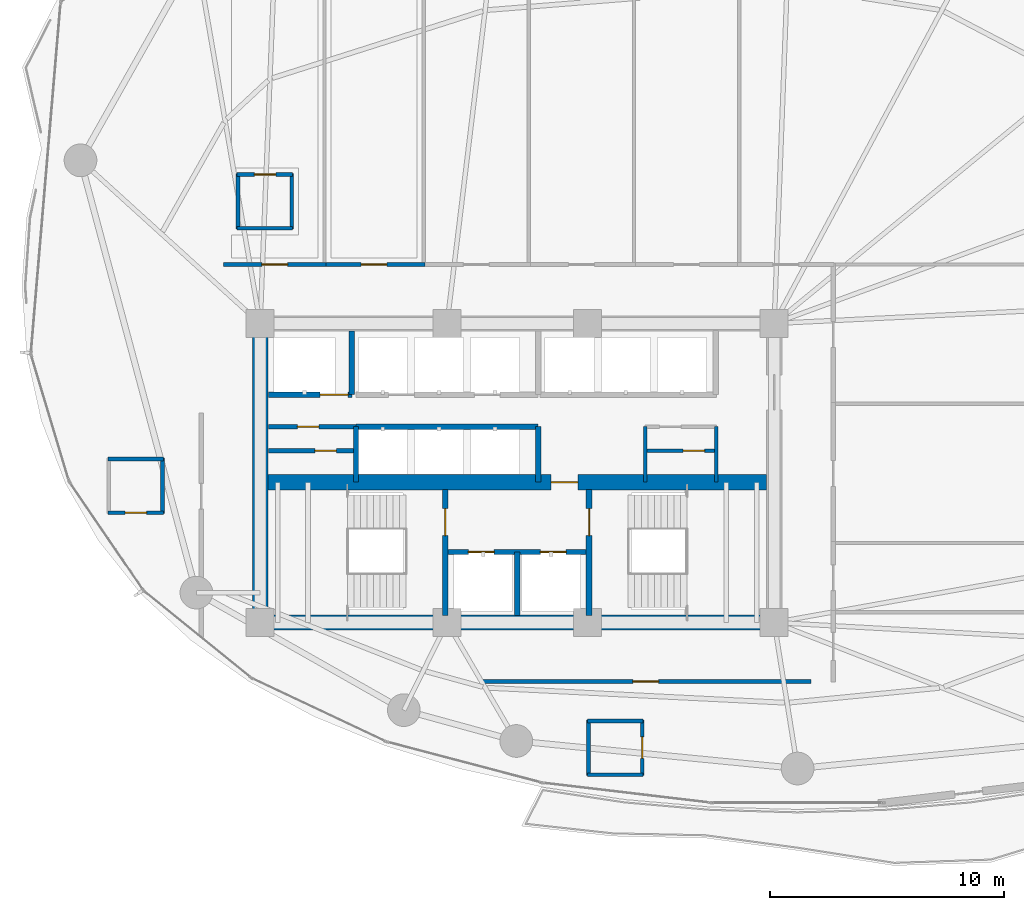
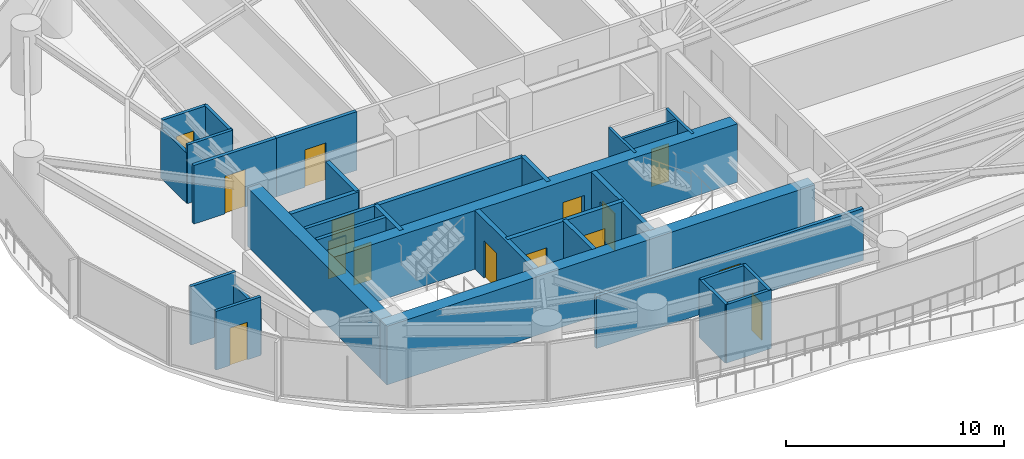
# One storey, part 25 of 30: 31 walls, 15 doors, 15 openings.
"""IFC4 building model written with IfcOpenShell, lengths in metres."""

import ifcopenshell
import ifcopenshell.guid

model = None  # the IFC model being written
_history = None  # IfcOwnerHistory: only IFC2X3 demands one
_inside = {}  # id of a spatial element -> (the spatial element, [elements in it])
_under = {}  # id of a project, library or spatial element -> (it, [spatial elements below it])
_declared = {}  # id of a project -> (the project, [libraries it declares])
_typed = {}  # id of a type object -> (the type object, [elements of that type])
_made_of = {}  # id of a material, layer set ... -> (it, [elements and type objects made of it])


def new_model(schema):
    """Start an empty IFC model of exactly this schema.

    Asked for "IFC4X3", IfcOpenShell would pick the latest addendum, in which some entities
    have other attributes; the version numbers below select the first issue.
    IFC2X3 requires an IfcOwnerHistory on every rooted entity: one is made here for all.
    """
    global model, _history
    if schema == "IFC4X3":
        model = ifcopenshell.file(schema_version=(4, 3, 0, 0))
    else:
        model = ifcopenshell.file(schema=schema)
    _inside.clear()
    _under.clear()
    _declared.clear()
    _typed.clear()
    _made_of.clear()
    _history = None
    if model.schema == "IFC2X3":
        org = make("IfcOrganization", Name="unknown")
        user = make(
            "IfcPersonAndOrganization",
            ThePerson=make("IfcPerson", FamilyName="unknown"),
            TheOrganization=org,
        )
        app = make(
            "IfcApplication",
            ApplicationDeveloper=org,
            Version="unknown",
            ApplicationFullName="unknown",
            ApplicationIdentifier="unknown",
        )
        _history = make(
            "IfcOwnerHistory",
            OwningUser=user,
            OwningApplication=app,
            ChangeAction="ADDED",
            CreationDate=0,
        )
    return model


def make(cls, **values):
    """One entity of the class cls with the attributes given. An attribute that is None is left unset."""
    return model.create_entity(
        cls, **{name: value for name, value in values.items() if value is not None}
    )


def rooted(cls, **values):
    """An entity with a GlobalId (a new one), such as an element, a storey or a relation."""
    return make(cls, GlobalId=ifcopenshell.guid.new(), OwnerHistory=_history, **values)


def si_unit(unit_type, name, prefix=None):
    """IfcSIUnit, for example si_unit("LENGTHUNIT", "METRE", prefix="MILLI")."""
    return make("IfcSIUnit", UnitType=unit_type, Prefix=prefix, Name=name)


def assignment(units):
    """IfcUnitAssignment: the units of a project."""
    return None if units is None else make("IfcUnitAssignment", Units=units)


def point(xyz):
    """IfcCartesianPoint."""
    return None if xyz is None else make("IfcCartesianPoint", Coordinates=xyz)


def direction(xyz):
    """IfcDirection."""
    return None if xyz is None else make("IfcDirection", DirectionRatios=xyz)


def frame(location, z_axis=None, x_axis=None):
    """IfcAxis2Placement3D, a coordinate frame: its origin and axes. An axis left out is left unset."""
    return make(
        "IfcAxis2Placement3D",
        Location=point(location),
        Axis=direction(z_axis),
        RefDirection=direction(x_axis),
    )


def frame_2d(location, x_axis=None):
    """IfcAxis2Placement2D, a coordinate frame in the plane: its origin and x axis."""
    return make(
        "IfcAxis2Placement2D", Location=point(location), RefDirection=direction(x_axis)
    )


def origin():
    """The frame at (0, 0, 0) with its axes left unset."""
    return frame((0.0, 0.0, 0.0))


def place(relative_to, where):
    """IfcLocalPlacement: puts the frame where relative to a parent placement (None: the world)."""
    return make(
        "IfcLocalPlacement", PlacementRelTo=relative_to, RelativePlacement=where
    )


def context(
    kind, dimensions, precision=None, world=None, true_north=None, identifier=None
):
    """IfcGeometricRepresentationContext, for example the 3D "Model" context."""
    return make(
        "IfcGeometricRepresentationContext",
        ContextIdentifier=identifier,
        ContextType=kind,
        CoordinateSpaceDimension=dimensions,
        Precision=precision,
        WorldCoordinateSystem=world,
        TrueNorth=true_north,
    )


def subcontext(parent, identifier, kind, view, scale=None):
    """IfcGeometricRepresentationSubContext, for example "Body" below "Model"."""
    return make(
        "IfcGeometricRepresentationSubContext",
        ContextIdentifier=identifier,
        ContextType=kind,
        ParentContext=parent,
        TargetScale=scale,
        TargetView=view,
    )


def project(units=None, contexts=None):
    """IfcProject with its units and contexts."""
    return rooted(
        "IfcProject",
        Name="project",
        RepresentationContexts=contexts,
        UnitsInContext=assignment(units),
    )


def spatial(cls, under=None, at=None, **own):
    """A site, building, storey or space (cls), placed at a placement, below another one or the project."""
    s = rooted(cls, ObjectPlacement=at, **own)
    if under is not None:
        _under.setdefault(under.id(), (under, []))[1].append(s)
    return s


def profile(cls, at=None, kind="AREA", **sizes):
    """A parametric profile (cls). Its sizes go by their IFC names, for example OverallWidth=200.0."""
    return make(cls, ProfileType=kind, Position=at, **sizes)


def rectangle(**sizes):
    """IfcRectangleProfileDef."""
    return profile("IfcRectangleProfileDef", **sizes)


def extrude(swept, where, along, depth):
    """IfcExtrudedAreaSolid: the profile swept, set in the frame where, extruded along a direction by depth."""
    return make(
        "IfcExtrudedAreaSolid",
        SweptArea=swept,
        Position=where,
        ExtrudedDirection=direction(along),
        Depth=depth,
    )


def shape(context_of_items, identifier, shape_type, items):
    """IfcShapeRepresentation: the items that make up one representation, for example the "Body"."""
    return make(
        "IfcShapeRepresentation",
        ContextOfItems=context_of_items,
        RepresentationIdentifier=identifier,
        RepresentationType=shape_type,
        Items=items,
    )


def material(Name=None, Category=None):
    """IfcMaterial."""
    return make("IfcMaterial", Name=Name, Category=Category)


def layer(
    of_material, thickness, ventilated=None, Name=None, Category=None, Priority=None
):
    """IfcMaterialLayer: one layer of a wall or slab, of a material (None: an air gap)."""
    return make(
        "IfcMaterialLayer",
        Material=of_material,
        LayerThickness=thickness,
        IsVentilated=ventilated,
        Name=Name,
        Category=Category,
        Priority=Priority,
    )


def layer_set(layers, Name=None):
    """IfcMaterialLayerSet."""
    return make("IfcMaterialLayerSet", MaterialLayers=layers, LayerSetName=Name)


def made_of(thing, what):
    """Note that an element or type object is made of a material, layer set ...; save() writes the relation."""
    if what is not None:
        _made_of.setdefault(what.id(), (what, []))[1].append(thing)
    return thing


def type_object(cls, material=None, **own):
    """A type object (cls), such as IfcWallType, which elements share."""
    return made_of(rooted(cls, **own), material)


def element(
    cls,
    number,
    at=None,
    inside=None,
    cuts=None,
    type_object=None,
    material=None,
    context=None,
    identifier="Body",
    shape_type=None,
    held_by="IfcProductDefinitionShape",
    body=None,
    shapes=None,
    **own,
):
    """One element of the class cls, such as IfcWall. Its Tag is "e" and its number.

    at: its placement. inside: the storey or other place that contains it. cuts: it is an
    opening in that element (IfcRelVoidsElement). A single representation is given by context,
    identifier, shape_type and body (its items); several are given by shapes. held_by: the class
    of the entity that holds the representations. save() writes the other relations.
    """
    e = rooted(cls, Tag="e%d" % number, ObjectPlacement=at, **own)
    if body is not None:
        shapes = [shape(context, identifier, shape_type, body)]
    if shapes is not None:
        e.Representation = make(held_by, Representations=shapes)
    if inside is not None:
        _inside.setdefault(inside.id(), (inside, []))[1].append(e)
    if cuts is not None:
        rooted(
            "IfcRelVoidsElement", RelatingBuildingElement=cuts, RelatedOpeningElement=e
        )
    if type_object is not None:
        _typed.setdefault(type_object.id(), (type_object, []))[1].append(e)
    return made_of(e, material)


def fill(opening, filler):
    """IfcRelFillsElement: the door or window that sits in an opening."""
    return rooted(
        "IfcRelFillsElement",
        RelatingOpeningElement=opening,
        RelatedBuildingElement=filler,
    )


def aggregate(whole, parts):
    """IfcRelAggregates: a whole, such as a stair, and the parts it consists of."""
    return rooted("IfcRelAggregates", RelatingObject=whole, RelatedObjects=parts)


def save(model, path):
    """Write the relations noted so far, then the file.

    IfcRelAggregates (storeys below a building ...), IfcRelContainedInSpatialStructure (elements
    in a storey), IfcRelDefinesByType, IfcRelAssociatesMaterial and IfcRelDeclares: one each for
    every whole, place, type object, material and project.
    """
    for whole, parts in _under.values():
        aggregate(whole, parts)
    for where, things in _inside.values():
        rooted(
            "IfcRelContainedInSpatialStructure",
            RelatedElements=things,
            RelatingStructure=where,
        )
    for kind, things in _typed.values():
        rooted("IfcRelDefinesByType", RelatedObjects=things, RelatingType=kind)
    for what, things in _made_of.values():
        rooted("IfcRelAssociatesMaterial", RelatedObjects=things, RelatingMaterial=what)
    for by, libraries in _declared.values():
        rooted("IfcRelDeclares", RelatingContext=by, RelatedDefinitions=libraries)
    model.write(path)


model = new_model("IFC4")

# Units and contexts
model_context = context("Model", 3, precision=1e-05, world=origin(), true_north=direction((0.0, 1.0)))
body_context = subcontext(model_context, "Body", "Model", "MODEL_VIEW")
ifc_project = project(units=[si_unit("LENGTHUNIT", "METRE"), si_unit("AREAUNIT", "SQUARE_METRE"), si_unit("VOLUMEUNIT", "CUBIC_METRE"), si_unit("PLANEANGLEUNIT", "RADIAN"), si_unit("MASSUNIT", "GRAM", prefix="KILO")], contexts=[model_context])

# Site, building, storey
site_placement = place(None, origin())
site = spatial("IfcSite", under=ifc_project, at=site_placement, CompositionType="ELEMENT")
building_placement = place(site_placement, origin())
building = spatial("IfcBuilding", under=site, at=building_placement, Name="Kazevale Care Tower and Concert Hall", CompositionType="ELEMENT")
storey_placement = place(building_placement, frame((0.0, 0.0, 88.800048828125)))
storey = spatial("IfcBuildingStorey", under=building, at=storey_placement, Name="L23", CompositionType="ELEMENT", Elevation=88.800048828125)

# Walls
ifc_material_1 = material(Name="Acoustic Gypsum on Steel Stud", Category="steel")
ifc_layer_1 = layer(ifc_material_1, 0.139892578125)
ifc_layer_set_1 = layer_set([ifc_layer_1], Name="Acoustic Gypsum on Steel Stud")
wall_type_1 = type_object("IfcWallType", Name="Acoustic Care & Suite Partition 140", PredefinedType="PARTITIONING", material=ifc_layer_set_1)
for number, where, z_axis, x_axis, name in (
    (1, (38.47998046875, 29.6201171875, 0.0), (0.0, 0.0, 1.0), (0.0, 1.0, 0.0), "wall:L23:kc_ew"),
    (2, (41.52001953125, 29.6201171875, 0.0), (0.0, 0.0, 1.0), (0.0, 1.0, 0.0), "wall:L23:kc_ee"),
):
    element("IfcWall", number, at=place(storey_placement, frame(where, z_axis=z_axis, x_axis=x_axis)), inside=storey, type_object=wall_type_1, Name=name, PredefinedType="PARTITIONING", context=body_context, shape_type="SweptSolid", body=[
        extrude(rectangle(XDim=2.35986328125, YDim=0.139892578125, at=frame_2d((1.179931640625, 0.0))), origin(), (0.0, 0.0, 1.0), 3.280029296875),
    ])

# Wall, opening, door
wall_1_placement = place(storey_placement, frame((38.47998046875, 30.949951171875, 0.0), z_axis=(0.0, 0.0, 1.0), x_axis=(1.0, 0.0, 0.0)))
wall_1 = element("IfcWall", 3, at=wall_1_placement, inside=storey, type_object=wall_type_1, Name="wall:L23:kc_em", PredefinedType="PARTITIONING", context=body_context, shape_type="SweptSolid", body=[
    extrude(rectangle(XDim=3.0400390625, YDim=0.139892578125, at=frame_2d((1.52001953125, 0.0))), origin(), (0.0, 0.0, 1.0), 3.280029296875),
])
opening_1_placement = place(wall_1_placement, frame((1.616943359375, 0.0, 0.0)))
opening_1 = element("IfcOpeningElement", 4, at=opening_1_placement, cuts=wall_1, Name="Opening ID-900", PredefinedType="OPENING", context=body_context, shape_type="SweptSolid", body=[
    extrude(rectangle(XDim=0.919921875, YDim=2.10009765625, at=frame_2d((0.4599609375, 1.050048828125))), frame((0.0, 0.079833984375, 0.0), z_axis=(0.0, -1.0, 0.0), x_axis=(1.0, 0.0, 0.0)), (0.0, 0.0, 1.0), 0.159912109375),
])
ifc_material_2 = material(Name="Oak Timber Fire Leaf", Category="wood")
door_type_1 = type_object("IfcDoorType", Name="Bathroom & Service Door 920x2100", OperationType="NOTDEFINED", PredefinedType="DOOR", material=ifc_material_2)
door_1_placement = place(opening_1_placement, origin())
door_1 = element("IfcDoor", 5, at=door_1_placement, inside=storey, type_object=door_type_1, Name="door:L23:d_kceb", OperationType="SINGLE_SWING_RIGHT", OverallHeight=2.10009765625, OverallWidth=0.919921875, PredefinedType="DOOR", context=body_context, shape_type="SweptSolid", body=[
    extrude(rectangle(XDim=0.919921875, YDim=2.10009765625, at=frame_2d((0.4599609375, 1.050048828125))), frame((0.0, 0.02490234375, 0.0), z_axis=(0.0, -1.0, 0.0), x_axis=(1.0, 0.0, 0.0)), (0.0, 0.0, 1.0), 0.050048828125),
])
fill(opening_1, door_1)

# Walls
ifc_material_3 = material(Name="Concrete C70", Category="concrete")
ifc_layer_2 = layer(ifc_material_3, 0.64990234375)
ifc_layer_set_2 = layer_set([ifc_layer_2], Name="Concrete C70")
wall_type_2 = type_object("IfcWallType", Name="Core Shear Wall 650 C70", PredefinedType="SHEAR", material=ifc_layer_set_2)
wall_2_placement = place(storey_placement, frame((21.675048828125, 23.60009765625, 0.0), z_axis=(0.0, 0.0, 1.0), x_axis=(1.0, 0.0, 0.0)))
element("IfcWall", 6, at=wall_2_placement, inside=storey, type_object=wall_type_2, Name="wall:L23:core:S", PredefinedType="SHEAR", context=body_context, shape_type="SweptSolid", body=[
    extrude(rectangle(XDim=22.64990234375, YDim=0.64990234375, at=frame_2d((11.324951171875, 0.0))), origin(), (0.0, 0.0, 1.0), 3.280029296875),
])
wall_3_placement = place(storey_placement, frame((22.0, 23.925048828125, 0.0), z_axis=(0.0, 0.0, 1.0), x_axis=(0.0, 1.0, 0.0)))
element("IfcWall", 7, at=wall_3_placement, inside=storey, type_object=wall_type_2, Name="wall:L23:core:W", PredefinedType="SHEAR", context=body_context, shape_type="SweptSolid", body=[
    extrude(rectangle(XDim=12.14990234375, YDim=0.64990234375, at=frame_2d((6.074951171875, 0.0))), origin(), (0.0, 0.0, 1.0), 3.280029296875),
])

# Wall, opening, door
wall_4_placement = place(storey_placement, frame((22.324951171875, 29.60009765625, 0.0), z_axis=(0.0, 0.0, 1.0), x_axis=(1.0, 0.0, 0.0)))
wall_4 = element("IfcWall", 8, at=wall_4_placement, inside=storey, type_object=wall_type_2, Name="wall:L23:core:M", PredefinedType="SHEAR", context=body_context, shape_type="SweptSolid", body=[
    extrude(rectangle(XDim=21.35009765625, YDim=0.64990234375, at=frame_2d((10.675048828125, 0.0))), origin(), (0.0, 0.0, 1.0), 3.280029296875),
])
opening_2_placement = place(wall_4_placement, frame((12.125, 0.0, 0.0)))
opening_2 = element("IfcOpeningElement", 9, at=opening_2_placement, cuts=wall_4, Name="Opening FD-90", PredefinedType="OPENING", context=body_context, shape_type="SweptSolid", body=[
    extrude(rectangle(XDim=1.14990234375, YDim=2.10009765625, at=frame_2d((0.574951171875, 1.050048828125))), frame((0.0, 0.3349609375, 0.0), z_axis=(0.0, -1.0, 0.0), x_axis=(1.0, 0.0, 0.0)), (0.0, 0.0, 1.0), 0.669921875),
])
ifc_material_4 = material(Name="Steel ASTM A572 Gr 50", Category="steel")
door_type_2 = type_object("IfcDoorType", Name="Pressurized Stair & Lobby Fire Door 1150x2100", OperationType="NOTDEFINED", PredefinedType="DOOR", material=ifc_material_4)
door_2_placement = place(opening_2_placement, origin())
door_2 = element("IfcDoor", 10, at=door_2_placement, inside=storey, type_object=door_type_2, Name="door:L23:ff_to_pax", OperationType="SINGLE_SWING_LEFT", OverallHeight=2.10009765625, OverallWidth=1.14990234375, PredefinedType="DOOR", context=body_context, shape_type="SweptSolid", body=[
    extrude(rectangle(XDim=1.14990234375, YDim=2.10009765625, at=frame_2d((0.574951171875, 1.050048828125))), frame((0.0, 0.02490234375, 0.0), z_axis=(0.0, -1.0, 0.0), x_axis=(1.0, 0.0, 0.0)), (0.0, 0.0, 1.0), 0.050048828125),
])
fill(opening_2, door_2)

# Wall, openings, doors
ifc_material_5 = material(Name="Concrete C40", Category="concrete")
ifc_layer_3 = layer(ifc_material_5, 0.219970703125)
ifc_layer_set_3 = layer_set([ifc_layer_3], Name="Concrete C40")
wall_type_3 = type_object("IfcWallType", Name="Elevator Hoistway Shaft Wall 220", PredefinedType="SOLIDWALL", material=ifc_layer_set_3)
wall_5_placement = place(storey_placement, frame((29.919921875, 26.6201171875, 0.0), z_axis=(0.0, 0.0, 1.0), x_axis=(1.0, 0.0, 0.0)))
wall_5 = element("IfcWall", 11, at=wall_5_placement, inside=storey, type_object=wall_type_3, Name="wall:L23:c_ffl_n", PredefinedType="SOLIDWALL", context=body_context, shape_type="SweptSolid", body=[
    extrude(rectangle(XDim=6.16015625, YDim=0.219970703125, at=frame_2d((3.080078125, 0.0))), origin(), (0.0, 0.0, 1.0), 3.280029296875),
])
opening_3_placement = place(wall_5_placement, frame((0.989990234375, 0.0, 0.0)))
opening_3 = element("IfcOpeningElement", 12, at=opening_3_placement, cuts=wall_5, Name="Opening LD-FF", PredefinedType="OPENING", context=body_context, shape_type="SweptSolid", body=[
    extrude(rectangle(XDim=1.10009765625, YDim=2.10009765625, at=frame_2d((0.550048828125, 1.050048828125))), frame((0.0, 0.119873046875, 0.0), z_axis=(0.0, -1.0, 0.0), x_axis=(1.0, 0.0, 0.0)), (0.0, 0.0, 1.0), 0.239990234375),
])
opening_4_placement = place(wall_5_placement, frame((4.070068359375, 0.0, 0.0)))
opening_4 = element("IfcOpeningElement", 13, at=opening_4_placement, cuts=wall_5, Name="Opening LD-FF", PredefinedType="OPENING", context=body_context, shape_type="SweptSolid", body=[
    extrude(rectangle(XDim=1.10009765625, YDim=2.10009765625, at=frame_2d((0.550048828125, 1.050048828125))), frame((0.0, 0.119873046875, 0.0), z_axis=(0.0, -1.0, 0.0), x_axis=(1.0, 0.0, 0.0)), (0.0, 0.0, 1.0), 0.239990234375),
])
ifc_material_6 = material(Name="Stainless Steel 316", Category="steel")
door_type_3 = type_object("IfcDoorType", Name="Emergency Lift Sliding Landing Door 1100x2100", OperationType="NOTDEFINED", PredefinedType="DOOR", material=ifc_material_6)
door_3_placement = place(opening_3_placement, origin())
door_3 = element("IfcDoor", 14, at=door_3_placement, inside=storey, type_object=door_type_3, Name="door:L23:ld_ffl1", OperationType="SLIDING_TO_LEFT", OverallHeight=2.10009765625, OverallWidth=1.10009765625, PredefinedType="DOOR", context=body_context, shape_type="SweptSolid", body=[
    extrude(rectangle(XDim=1.10009765625, YDim=2.10009765625, at=frame_2d((0.550048828125, 1.050048828125))), frame((0.0, 0.02490234375, 0.0), z_axis=(0.0, -1.0, 0.0), x_axis=(1.0, 0.0, 0.0)), (0.0, 0.0, 1.0), 0.050048828125),
])
fill(opening_3, door_3)
door_4_placement = place(opening_4_placement, origin())
door_4 = element("IfcDoor", 15, at=door_4_placement, inside=storey, type_object=door_type_3, Name="door:L23:ld_ffl2", OperationType="SLIDING_TO_RIGHT", OverallHeight=2.10009765625, OverallWidth=1.10009765625, PredefinedType="DOOR", context=body_context, shape_type="SweptSolid", body=[
    extrude(rectangle(XDim=1.10009765625, YDim=2.10009765625, at=frame_2d((0.550048828125, 1.050048828125))), frame((0.0, 0.02490234375, 0.0), z_axis=(0.0, -1.0, 0.0), x_axis=(1.0, 0.0, 0.0)), (0.0, 0.0, 1.0), 0.050048828125),
])
fill(opening_4, door_4)

# Walls
wall_6_placement = place(storey_placement, frame((33.0, 23.89990234375, 0.0), z_axis=(0.0, 0.0, 1.0), x_axis=(0.0, 1.0, 0.0)))
element("IfcWall", 16, at=wall_6_placement, inside=storey, type_object=wall_type_3, Name="wall:L23:c_ffl_m", PredefinedType="SOLIDWALL", context=body_context, shape_type="SweptSolid", body=[
    extrude(rectangle(XDim=2.72021484375, YDim=0.219970703125, at=frame_2d((1.360107421875, 0.0))), origin(), (0.0, 0.0, 1.0), 3.280029296875),
])
wall_7_placement = place(storey_placement, frame((25.919921875, 33.35009765625, 0.0), z_axis=(0.0, 0.0, 1.0), x_axis=(0.0, 1.0, 0.0)))
element("IfcWall", 17, at=wall_7_placement, inside=storey, type_object=wall_type_3, Name="wall:L23:c_svl_e", PredefinedType="SOLIDWALL", context=body_context, shape_type="SweptSolid", body=[
    extrude(rectangle(XDim=2.72998046875, YDim=0.219970703125, at=frame_2d((1.364990234375, 0.0))), origin(), (0.0, 0.0, 1.0), 3.280029296875),
])

# Wall, opening, door
wall_8_placement = place(storey_placement, frame((22.35009765625, 33.35009765625, 0.0), z_axis=(0.0, 0.0, 1.0), x_axis=(1.0, 0.0, 0.0)))
wall_8 = element("IfcWall", 18, at=wall_8_placement, inside=storey, type_object=wall_type_3, Name="wall:L23:c_svl_s", PredefinedType="SOLIDWALL", context=body_context, shape_type="SweptSolid", body=[
    extrude(rectangle(XDim=3.56982421875, YDim=0.219970703125, at=frame_2d((1.784912109375, 0.0))), origin(), (0.0, 0.0, 1.0), 3.280029296875),
])
opening_5_placement = place(wall_8_placement, frame((2.212890625, 0.0, 0.0)))
opening_5 = element("IfcOpeningElement", 19, at=opening_5_placement, cuts=wall_8, Name="Opening LD-SV", PredefinedType="OPENING", context=body_context, shape_type="SweptSolid", body=[
    extrude(rectangle(XDim=1.199951171875, YDim=2.10009765625, at=frame_2d((0.60009765625, 1.050048828125))), frame((0.0, 0.119873046875, 0.0), z_axis=(0.0, -1.0, 0.0), x_axis=(1.0, 0.0, 0.0)), (0.0, 0.0, 1.0), 0.239990234375),
])
door_type_4 = type_object("IfcDoorType", Name="Service Lift Sliding Landing Door 1200x2100", OperationType="NOTDEFINED", PredefinedType="DOOR", material=ifc_material_6)
door_5_placement = place(opening_5_placement, origin())
door_5 = element("IfcDoor", 20, at=door_5_placement, inside=storey, type_object=door_type_4, Name="door:L23:ld_svl1", OperationType="SLIDING_TO_LEFT", OverallHeight=2.10009765625, OverallWidth=1.199951171875, PredefinedType="DOOR", context=body_context, shape_type="SweptSolid", body=[
    extrude(rectangle(XDim=1.199951171875, YDim=2.10009765625, at=frame_2d((0.60009765625, 1.050048828125))), frame((0.0, 0.02490234375, 0.0), z_axis=(0.0, -1.0, 0.0), x_axis=(1.0, 0.0, 0.0)), (0.0, 0.0, 1.0), 0.050048828125),
])
fill(opening_5, door_5)

# Walls
wall_9_placement = place(storey_placement, frame((26.10009765625, 29.6201171875, 0.0), z_axis=(0.0, 0.0, 1.0), x_axis=(0.0, 1.0, 0.0)))
element("IfcWall", 21, at=wall_9_placement, inside=storey, type_object=wall_type_3, Name="wall:L23:c_ph_w", PredefinedType="SOLIDWALL", context=body_context, shape_type="SweptSolid", body=[
    extrude(rectangle(XDim=2.35986328125, YDim=0.219970703125, at=frame_2d((1.179931640625, 0.0))), origin(), (0.0, 0.0, 1.0), 3.280029296875),
])
wall_10_placement = place(storey_placement, frame((26.10009765625, 31.97998046875, 0.0), z_axis=(0.0, 0.0, 1.0), x_axis=(1.0, 0.0, 0.0)))
element("IfcWall", 22, at=wall_10_placement, inside=storey, type_object=wall_type_3, Name="wall:L23:c_ph_n", PredefinedType="SOLIDWALL", context=body_context, shape_type="SweptSolid", body=[
    extrude(rectangle(XDim=7.7998046875, YDim=0.219970703125, at=frame_2d((3.89990234375, 0.0))), origin(), (0.0, 0.0, 1.0), 3.280029296875),
])
wall_11_placement = place(storey_placement, frame((33.89990234375, 29.6201171875, 0.0), z_axis=(0.0, 0.0, 1.0), x_axis=(0.0, 1.0, 0.0)))
element("IfcWall", 23, at=wall_11_placement, inside=storey, type_object=wall_type_3, Name="wall:L23:c_ph_e", PredefinedType="SOLIDWALL", context=body_context, shape_type="SweptSolid", body=[
    extrude(rectangle(XDim=2.35986328125, YDim=0.219970703125, at=frame_2d((1.179931640625, 0.0))), origin(), (0.0, 0.0, 1.0), 3.280029296875),
])

# Wall, opening, door
ifc_material_7 = material(Name="Concrete C40 and Acoustic Gypsum", Category="concrete")
ifc_layer_4 = layer(ifc_material_7, 0.179931640625)
ifc_layer_set_4 = layer_set([ifc_layer_4], Name="Concrete C40 and Acoustic Gypsum")
wall_type_4 = type_object("IfcWallType", Name="Fire-Rated Corridor & Party Wall 180", PredefinedType="PARTITIONING", material=ifc_layer_set_4)
wall_12_placement = place(storey_placement, frame((22.35009765625, 30.949951171875, 0.0), z_axis=(0.0, 0.0, 1.0), x_axis=(1.0, 0.0, 0.0)))
wall_12 = element("IfcWall", 24, at=wall_12_placement, inside=storey, type_object=wall_type_4, Name="wall:L23:kc_wm", PredefinedType="PARTITIONING", context=body_context, shape_type="SweptSolid", body=[
    extrude(rectangle(XDim=3.75, YDim=0.179931640625, at=frame_2d((1.875, 0.0))), origin(), (0.0, 0.0, 1.0), 3.280029296875),
])
opening_6_placement = place(wall_12_placement, frame((1.988037109375, 0.0, 0.0)))
opening_6 = element("IfcOpeningElement", 25, at=opening_6_placement, cuts=wall_12, Name="Opening ID-900", PredefinedType="OPENING", context=body_context, shape_type="SweptSolid", body=[
    extrude(rectangle(XDim=0.919921875, YDim=2.10009765625, at=frame_2d((0.4599609375, 1.050048828125))), frame((0.0, 0.099853515625, 0.0), z_axis=(0.0, -1.0, 0.0), x_axis=(1.0, 0.0, 0.0)), (0.0, 0.0, 1.0), 0.199951171875),
])
door_6_placement = place(opening_6_placement, origin())
door_6 = element("IfcDoor", 26, at=door_6_placement, inside=storey, type_object=door_type_1, Name="door:L23:d_kcwb", OperationType="SINGLE_SWING_RIGHT", OverallHeight=2.10009765625, OverallWidth=0.919921875, PredefinedType="DOOR", context=body_context, shape_type="SweptSolid", body=[
    extrude(rectangle(XDim=0.919921875, YDim=2.10009765625, at=frame_2d((0.4599609375, 1.050048828125))), frame((0.0, 0.02490234375, 0.0), z_axis=(0.0, -1.0, 0.0), x_axis=(1.0, 0.0, 0.0)), (0.0, 0.0, 1.0), 0.050048828125),
])
fill(opening_6, door_6)

wall_13_placement = place(storey_placement, frame((22.35009765625, 31.97998046875, 0.0), z_axis=(0.0, 0.0, 1.0), x_axis=(1.0, 0.0, 0.0)))
wall_13 = element("IfcWall", 27, at=wall_13_placement, inside=storey, type_object=wall_type_4, Name="wall:L23:kc_wn", PredefinedType="PARTITIONING", context=body_context, shape_type="SweptSolid", body=[
    extrude(rectangle(XDim=3.75, YDim=0.179931640625, at=frame_2d((1.875, 0.0))), origin(), (0.0, 0.0, 1.0), 3.280029296875),
])
opening_7_placement = place(wall_13_placement, frame((1.238037109375, 0.0, 0.0)))
opening_7 = element("IfcOpeningElement", 28, at=opening_7_placement, cuts=wall_13, Name="Opening ID-900", PredefinedType="OPENING", context=body_context, shape_type="SweptSolid", body=[
    extrude(rectangle(XDim=0.919921875, YDim=2.10009765625, at=frame_2d((0.4599609375, 1.050048828125))), frame((0.0, 0.099853515625, 0.0), z_axis=(0.0, -1.0, 0.0), x_axis=(1.0, 0.0, 0.0)), (0.0, 0.0, 1.0), 0.199951171875),
])
door_7_placement = place(opening_7_placement, origin())
door_7 = element("IfcDoor", 29, at=door_7_placement, inside=storey, type_object=door_type_1, Name="door:L23:d_kcwt", OperationType="SINGLE_SWING_LEFT", OverallHeight=2.10009765625, OverallWidth=0.919921875, PredefinedType="DOOR", context=body_context, shape_type="SweptSolid", body=[
    extrude(rectangle(XDim=0.919921875, YDim=2.10009765625, at=frame_2d((0.4599609375, 1.050048828125))), frame((0.0, 0.02490234375, 0.0), z_axis=(0.0, -1.0, 0.0), x_axis=(1.0, 0.0, 0.0)), (0.0, 0.0, 1.0), 0.050048828125),
])
fill(opening_7, door_7)

wall_14_placement = place(storey_placement, frame((20.43505859375, 38.925048828125, 0.0), z_axis=(0.0, 0.0, 1.0), x_axis=(1.0, 0.0, 0.0)))
wall_14 = element("IfcWall", 30, at=wall_14_placement, inside=storey, type_object=wall_type_4, Name="wall:L23:auto_001", PredefinedType="PARTITIONING", context=body_context, shape_type="SweptSolid", body=[
    extrude(rectangle(XDim=4.3798828125, YDim=0.179931640625, at=frame_2d((2.18994140625, 0.0))), origin(), (0.0, 0.0, 1.0), 3.280029296875),
])
opening_8_placement = place(wall_14_placement, frame((1.639892578125, 0.0, 0.0)))
opening_8 = element("IfcOpeningElement", 31, at=opening_8_placement, cuts=wall_14, Name="Opening ID-1100", PredefinedType="OPENING", context=body_context, shape_type="SweptSolid", body=[
    extrude(rectangle(XDim=1.10009765625, YDim=2.10009765625, at=frame_2d((0.550048828125, 1.050048828125))), frame((0.0, 0.099853515625, 0.0), z_axis=(0.0, -1.0, 0.0), x_axis=(1.0, 0.0, 0.0)), (0.0, 0.0, 1.0), 0.199951171875),
])
door_type_5 = type_object("IfcDoorType", Name="Care Bedroom Accessible Door 1100x2100", OperationType="NOTDEFINED", PredefinedType="DOOR", material=ifc_material_2)
door_8_placement = place(opening_8_placement, origin())
door_8 = element("IfcDoor", 32, at=door_8_placement, inside=storey, type_object=door_type_5, Name="door:L23:ad_001", OperationType="SINGLE_SWING_LEFT", OverallHeight=2.10009765625, OverallWidth=1.10009765625, PredefinedType="DOOR", context=body_context, shape_type="SweptSolid", body=[
    extrude(rectangle(XDim=1.10009765625, YDim=2.10009765625, at=frame_2d((0.550048828125, 1.050048828125))), frame((0.0, 0.02490234375, 0.0), z_axis=(0.0, -1.0, 0.0), x_axis=(1.0, 0.0, 0.0)), (0.0, 0.0, 1.0), 0.050048828125),
])
fill(opening_8, door_8)

wall_15_placement = place(storey_placement, frame((24.68505859375, 38.925048828125, 0.0), z_axis=(0.0, 0.0, 1.0), x_axis=(1.0, 0.0, 0.0)))
wall_15 = element("IfcWall", 33, at=wall_15_placement, inside=storey, type_object=wall_type_4, Name="wall:L23:auto_002", PredefinedType="PARTITIONING", context=body_context, shape_type="SweptSolid", body=[
    extrude(rectangle(XDim=4.3798828125, YDim=0.179931640625, at=frame_2d((2.18994140625, 0.0))), origin(), (0.0, 0.0, 1.0), 3.280029296875),
])
opening_9_placement = place(wall_15_placement, frame((1.639892578125, 0.0, 0.0)))
opening_9 = element("IfcOpeningElement", 34, at=opening_9_placement, cuts=wall_15, Name="Opening ID-1100", PredefinedType="OPENING", context=body_context, shape_type="SweptSolid", body=[
    extrude(rectangle(XDim=1.10009765625, YDim=2.10009765625, at=frame_2d((0.550048828125, 1.050048828125))), frame((0.0, 0.099853515625, 0.0), z_axis=(0.0, -1.0, 0.0), x_axis=(1.0, 0.0, 0.0)), (0.0, 0.0, 1.0), 0.199951171875),
])
door_9_placement = place(opening_9_placement, origin())
door_9 = element("IfcDoor", 35, at=door_9_placement, inside=storey, type_object=door_type_5, Name="door:L23:ad_002", OperationType="SINGLE_SWING_LEFT", OverallHeight=2.10009765625, OverallWidth=1.10009765625, PredefinedType="DOOR", context=body_context, shape_type="SweptSolid", body=[
    extrude(rectangle(XDim=1.10009765625, YDim=2.10009765625, at=frame_2d((0.550048828125, 1.050048828125))), frame((0.0, 0.02490234375, 0.0), z_axis=(0.0, -1.0, 0.0), x_axis=(1.0, 0.0, 0.0)), (0.0, 0.0, 1.0), 0.050048828125),
])
fill(opening_9, door_9)

wall_16_placement = place(storey_placement, frame((45.56494140625, 21.074951171875, 0.0), z_axis=(0.0, 0.0, 1.0), x_axis=(-1.0, 0.0, 0.0)))
wall_16 = element("IfcWall", 36, at=wall_16_placement, inside=storey, type_object=wall_type_4, Name="wall:L23:auto_011", PredefinedType="PARTITIONING", context=body_context, shape_type="SweptSolid", body=[
    extrude(rectangle(XDim=14.1298828125, YDim=0.179931640625, at=frame_2d((7.06494140625, 0.0))), origin(), (0.0, 0.0, 1.0), 2.916015625),
])
opening_10_placement = place(wall_16_placement, frame((6.514892578125, 0.0, 0.0)))
opening_10 = element("IfcOpeningElement", 37, at=opening_10_placement, cuts=wall_16, Name="Opening ID-1100", PredefinedType="OPENING", context=body_context, shape_type="SweptSolid", body=[
    extrude(rectangle(XDim=1.10009765625, YDim=2.10009765625, at=frame_2d((0.550048828125, 1.050048828125))), frame((0.0, 0.099853515625, 0.0), z_axis=(0.0, -1.0, 0.0), x_axis=(1.0, 0.0, 0.0)), (0.0, 0.0, 1.0), 0.199951171875),
])
door_10_placement = place(opening_10_placement, origin())
door_10 = element("IfcDoor", 38, at=door_10_placement, inside=storey, type_object=door_type_5, Name="door:L23:ad_011", OperationType="SINGLE_SWING_LEFT", OverallHeight=2.10009765625, OverallWidth=1.10009765625, PredefinedType="DOOR", context=body_context, shape_type="SweptSolid", body=[
    extrude(rectangle(XDim=1.10009765625, YDim=2.10009765625, at=frame_2d((0.550048828125, 1.050048828125))), frame((0.0, 0.02490234375, 0.0), z_axis=(0.0, -1.0, 0.0), x_axis=(1.0, 0.0, 0.0)), (0.0, 0.0, 1.0), 0.050048828125),
])
fill(opening_10, door_10)

# Wall
ifc_layer_5 = layer(ifc_material_1, 0.159912109375)
ifc_layer_set_5 = layer_set([ifc_layer_5], Name="Acoustic Gypsum on Steel Stud")
wall_type_5 = type_object("IfcWallType", Name="Moisture-Resistant Bathroom Plumbing Wall 160", PredefinedType="PLUMBINGWALL", material=ifc_layer_set_5)
wall_17_placement = place(storey_placement, frame((21.010009765625, 40.47509765625, 0.0), z_axis=(0.0, 0.0, 1.0), x_axis=(1.0, 0.0, 0.0)))
element("IfcWall", 39, at=wall_17_placement, inside=storey, type_object=wall_type_5, Name="wall:L23:nb2a_ens_ws", PredefinedType="PLUMBINGWALL", context=body_context, shape_type="SweptSolid", body=[
    extrude(rectangle(XDim=2.3798828125, YDim=0.159912109375, at=frame_2d((1.18994140625, 0.0))), origin(), (0.0, 0.0, 1.0), 3.280029296875),
])

# Wall, opening, door
wall_18_placement = place(storey_placement, frame((21.010009765625, 42.77490234375, 0.0), z_axis=(0.0, 0.0, 1.0), x_axis=(1.0, 0.0, 0.0)))
wall_18 = element("IfcWall", 40, at=wall_18_placement, inside=storey, type_object=wall_type_5, Name="wall:L23:nb2a_ens_wn", PredefinedType="PLUMBINGWALL", context=body_context, shape_type="SweptSolid", body=[
    extrude(rectangle(XDim=2.3798828125, YDim=0.159912109375, at=frame_2d((1.18994140625, 0.0))), origin(), (0.0, 0.0, 1.0), 3.280029296875),
])
opening_11_placement = place(wall_18_placement, frame((0.739990234375, 0.0, 0.0)))
opening_11 = element("IfcOpeningElement", 41, at=opening_11_placement, cuts=wall_18, Name="Opening ID-900", PredefinedType="OPENING", context=body_context, shape_type="SweptSolid", body=[
    extrude(rectangle(XDim=0.919921875, YDim=2.10009765625, at=frame_2d((0.4599609375, 1.050048828125))), frame((0.0, 0.08984375, 0.0), z_axis=(0.0, -1.0, 0.0), x_axis=(1.0, 0.0, 0.0)), (0.0, 0.0, 1.0), 0.179931640625),
])
door_11_placement = place(opening_11_placement, origin())
door_11 = element("IfcDoor", 42, at=door_11_placement, inside=storey, type_object=door_type_1, Name="door:L23:nb2a_ens_d", OperationType="SINGLE_SWING_LEFT", OverallHeight=2.10009765625, OverallWidth=0.919921875, PredefinedType="DOOR", context=body_context, shape_type="SweptSolid", body=[
    extrude(rectangle(XDim=0.919921875, YDim=2.10009765625, at=frame_2d((0.4599609375, 1.050048828125))), frame((0.0, 0.02490234375, 0.0), z_axis=(0.0, -1.0, 0.0), x_axis=(1.0, 0.0, 0.0)), (0.0, 0.0, 1.0), 0.050048828125),
])
fill(opening_11, door_11)

# Walls
wall_19_placement = place(storey_placement, frame((21.050048828125, 40.43505859375, 0.0), z_axis=(0.0, 0.0, 1.0), x_axis=(0.0, 1.0, 0.0)))
element("IfcWall", 43, at=wall_19_placement, inside=storey, type_object=wall_type_5, Name="wall:L23:nb2a_ens_ww", PredefinedType="PLUMBINGWALL", context=body_context, shape_type="SweptSolid", body=[
    extrude(rectangle(XDim=2.3798828125, YDim=0.159912109375, at=frame_2d((1.18994140625, 0.0))), origin(), (0.0, 0.0, 1.0), 2.81005859375),
])
for number, where, z_axis, x_axis, name in (
    (44, (23.35009765625, 40.43505859375, 0.0), (0.0, 0.0, 1.0), (0.0, 1.0, 0.0), "wall:L23:nb2a_ens_we"),
    (45, (36.010009765625, 17.08203125, 0.0), (0.0, 0.0, 1.0), (1.0, 0.0, 0.0), "wall:L23:sb2_ens_ws"),
    (46, (36.010009765625, 19.382080078125, 0.0), (0.0, 0.0, 1.0), (1.0, 0.0, 0.0), "wall:L23:sb2_ens_wn"),
):
    element("IfcWall", number, at=place(storey_placement, frame(where, z_axis=z_axis, x_axis=x_axis)), inside=storey, type_object=wall_type_5, Name=name, PredefinedType="PLUMBINGWALL", context=body_context, shape_type="SweptSolid", body=[
        extrude(rectangle(XDim=2.3798828125, YDim=0.159912109375, at=frame_2d((1.18994140625, 0.0))), origin(), (0.0, 0.0, 1.0), 3.280029296875),
    ])
wall_20_placement = place(storey_placement, frame((36.050048828125, 17.0419921875, 0.0), z_axis=(0.0, 0.0, 1.0), x_axis=(0.0, 1.0, 0.0)))
element("IfcWall", 47, at=wall_20_placement, inside=storey, type_object=wall_type_5, Name="wall:L23:sb2_ens_ww", PredefinedType="PLUMBINGWALL", context=body_context, shape_type="SweptSolid", body=[
    extrude(rectangle(XDim=2.380126953125, YDim=0.159912109375, at=frame_2d((1.18994140625, 0.0))), origin(), (0.0, 0.0, 1.0), 3.280029296875),
])

# Wall, opening, door
wall_21_placement = place(storey_placement, frame((38.35009765625, 17.0419921875, 0.0), z_axis=(0.0, 0.0, 1.0), x_axis=(0.0, 1.0, 0.0)))
wall_21 = element("IfcWall", 48, at=wall_21_placement, inside=storey, type_object=wall_type_5, Name="wall:L23:sb2_ens_we", PredefinedType="PLUMBINGWALL", context=body_context, shape_type="SweptSolid", body=[
    extrude(rectangle(XDim=2.380126953125, YDim=0.159912109375, at=frame_2d((1.18994140625, 0.0))), origin(), (0.0, 0.0, 1.0), 3.280029296875),
])
opening_12_placement = place(wall_21_placement, frame((0.739990234375, 0.0, 0.0)))
opening_12 = element("IfcOpeningElement", 49, at=opening_12_placement, cuts=wall_21, Name="Opening ID-900", PredefinedType="OPENING", context=body_context, shape_type="SweptSolid", body=[
    extrude(rectangle(XDim=0.919921875, YDim=2.10009765625, at=frame_2d((0.4599609375, 1.050048828125))), frame((0.0, 0.08984375, 0.0), z_axis=(0.0, -1.0, 0.0), x_axis=(1.0, 0.0, 0.0)), (0.0, 0.0, 1.0), 0.179931640625),
])
door_12_placement = place(opening_12_placement, origin())
door_12 = element("IfcDoor", 50, at=door_12_placement, inside=storey, type_object=door_type_1, Name="door:L23:sb2_ens_d", OperationType="SINGLE_SWING_LEFT", OverallHeight=2.10009765625, OverallWidth=0.919921875, PredefinedType="DOOR", context=body_context, shape_type="SweptSolid", body=[
    extrude(rectangle(XDim=0.919921875, YDim=2.10009765625, at=frame_2d((0.4599609375, 1.050048828125))), frame((0.0, 0.02490234375, 0.0), z_axis=(0.0, -1.0, 0.0), x_axis=(1.0, 0.0, 0.0)), (0.0, 0.0, 1.0), 0.050048828125),
])
fill(opening_12, door_12)

wall_22_placement = place(storey_placement, frame((15.48388671875, 28.300048828125, 0.0), z_axis=(0.0, 0.0, 1.0), x_axis=(1.0, 0.0, 0.0)))
wall_22 = element("IfcWall", 51, at=wall_22_placement, inside=storey, type_object=wall_type_5, Name="wall:L23:wb2_ens_ws", PredefinedType="PLUMBINGWALL", context=body_context, shape_type="SweptSolid", body=[
    extrude(rectangle(XDim=2.380126953125, YDim=0.159912109375, at=frame_2d((1.18994140625, 0.0))), origin(), (0.0, 0.0, 1.0), 3.280029296875),
])
opening_13_placement = place(wall_22_placement, frame((0.739990234375, 0.0, 0.0)))
opening_13 = element("IfcOpeningElement", 52, at=opening_13_placement, cuts=wall_22, Name="Opening ID-900", PredefinedType="OPENING", context=body_context, shape_type="SweptSolid", body=[
    extrude(rectangle(XDim=0.919921875, YDim=2.10009765625, at=frame_2d((0.4599609375, 1.050048828125))), frame((0.0, 0.08984375, 0.0), z_axis=(0.0, -1.0, 0.0), x_axis=(1.0, 0.0, 0.0)), (0.0, 0.0, 1.0), 0.179931640625),
])
door_13_placement = place(opening_13_placement, origin())
door_13 = element("IfcDoor", 53, at=door_13_placement, inside=storey, type_object=door_type_1, Name="door:L23:wb2_ens_d", OperationType="SINGLE_SWING_LEFT", OverallHeight=2.10009765625, OverallWidth=0.919921875, PredefinedType="DOOR", context=body_context, shape_type="SweptSolid", body=[
    extrude(rectangle(XDim=0.919921875, YDim=2.10009765625, at=frame_2d((0.4599609375, 1.050048828125))), frame((0.0, 0.02490234375, 0.0), z_axis=(0.0, -1.0, 0.0), x_axis=(1.0, 0.0, 0.0)), (0.0, 0.0, 1.0), 0.050048828125),
])
fill(opening_13, door_13)

# Walls
wall_23_placement = place(storey_placement, frame((15.48388671875, 30.60009765625, 0.0), z_axis=(0.0, 0.0, 1.0), x_axis=(1.0, 0.0, 0.0)))
element("IfcWall", 54, at=wall_23_placement, inside=storey, type_object=wall_type_5, Name="wall:L23:wb2_ens_wn", PredefinedType="PLUMBINGWALL", context=body_context, shape_type="SweptSolid", body=[
    extrude(rectangle(XDim=2.380126953125, YDim=0.159912109375, at=frame_2d((1.18994140625, 0.0))), origin(), (0.0, 0.0, 1.0), 3.280029296875),
])
wall_24_placement = place(storey_placement, frame((17.823974609375, 28.260009765625, 0.0), z_axis=(0.0, 0.0, 1.0), x_axis=(0.0, 1.0, 0.0)))
element("IfcWall", 55, at=wall_24_placement, inside=storey, type_object=wall_type_5, Name="wall:L23:wb2_ens_we", PredefinedType="PLUMBINGWALL", context=body_context, shape_type="SweptSolid", body=[
    extrude(rectangle(XDim=2.3798828125, YDim=0.159912109375, at=frame_2d((1.18994140625, 0.0))), origin(), (0.0, 0.0, 1.0), 2.576904296875),
])

# Wall, opening, door
ifc_layer_6 = layer(ifc_material_5, 0.25)
ifc_layer_set_6 = layer_set([ifc_layer_6], Name="Concrete C40")
wall_type_6 = type_object("IfcWallType", Name="Pressurized Stair Shaft Wall 250", PredefinedType="SOLIDWALL", material=ifc_layer_set_6)
wall_25_placement = place(storey_placement, frame((29.919921875, 23.89990234375, 0.0), z_axis=(0.0, 0.0, 1.0), x_axis=(0.0, 1.0, 0.0)))
wall_25 = element("IfcWall", 56, at=wall_25_placement, inside=storey, type_object=wall_type_6, Name="wall:L23:c_st1_e", PredefinedType="SOLIDWALL", context=body_context, shape_type="SweptSolid", body=[
    extrude(rectangle(XDim=5.400146484375, YDim=0.25, at=frame_2d((2.7001953125, 0.0))), origin(), (0.0, 0.0, 1.0), 3.280029296875),
])
opening_14_placement = place(wall_25_placement, frame((3.4208984375, 0.0, 0.0)))
opening_14 = element("IfcOpeningElement", 57, at=opening_14_placement, cuts=wall_25, Name="Opening FD-90", PredefinedType="OPENING", context=body_context, shape_type="SweptSolid", body=[
    extrude(rectangle(XDim=1.14990234375, YDim=2.10009765625, at=frame_2d((0.574951171875, 1.050048828125))), frame((0.0, 0.135009765625, 0.0), z_axis=(0.0, -1.0, 0.0), x_axis=(1.0, 0.0, 0.0)), (0.0, 0.0, 1.0), 0.27001953125),
])
door_14_placement = place(opening_14_placement, origin())
door_14 = element("IfcDoor", 58, at=door_14_placement, inside=storey, type_object=door_type_2, Name="door:L23:st1", OperationType="SINGLE_SWING_RIGHT", OverallHeight=2.10009765625, OverallWidth=1.14990234375, PredefinedType="DOOR", context=body_context, shape_type="SweptSolid", body=[
    extrude(rectangle(XDim=1.14990234375, YDim=2.10009765625, at=frame_2d((0.574951171875, 1.050048828125))), frame((0.0, 0.02490234375, 0.0), z_axis=(0.0, -1.0, 0.0), x_axis=(1.0, 0.0, 0.0)), (0.0, 0.0, 1.0), 0.050048828125),
])
fill(opening_14, door_14)

wall_26_placement = place(storey_placement, frame((36.080078125, 23.89990234375, 0.0), z_axis=(0.0, 0.0, 1.0), x_axis=(0.0, 1.0, 0.0)))
wall_26 = element("IfcWall", 59, at=wall_26_placement, inside=storey, type_object=wall_type_6, Name="wall:L23:c_st2_w", PredefinedType="SOLIDWALL", context=body_context, shape_type="SweptSolid", body=[
    extrude(rectangle(XDim=5.400146484375, YDim=0.25, at=frame_2d((2.7001953125, 0.0))), origin(), (0.0, 0.0, 1.0), 3.280029296875),
])
opening_15_placement = place(wall_26_placement, frame((3.4208984375, 0.0, 0.0)))
opening_15 = element("IfcOpeningElement", 60, at=opening_15_placement, cuts=wall_26, Name="Opening FD-90", PredefinedType="OPENING", context=body_context, shape_type="SweptSolid", body=[
    extrude(rectangle(XDim=1.14990234375, YDim=2.10009765625, at=frame_2d((0.574951171875, 1.050048828125))), frame((0.0, 0.135009765625, 0.0), z_axis=(0.0, -1.0, 0.0), x_axis=(1.0, 0.0, 0.0)), (0.0, 0.0, 1.0), 0.27001953125),
])
door_15_placement = place(opening_15_placement, origin())
door_15 = element("IfcDoor", 61, at=door_15_placement, inside=storey, type_object=door_type_2, Name="door:L23:st2", OperationType="SINGLE_SWING_LEFT", OverallHeight=2.10009765625, OverallWidth=1.14990234375, PredefinedType="DOOR", context=body_context, shape_type="SweptSolid", body=[
    extrude(rectangle(XDim=1.14990234375, YDim=2.10009765625, at=frame_2d((0.574951171875, 1.050048828125))), frame((0.0, 0.02490234375, 0.0), z_axis=(0.0, -1.0, 0.0), x_axis=(1.0, 0.0, 0.0)), (0.0, 0.0, 1.0), 0.050048828125),
])
fill(opening_15, door_15)

save(model, "model.ifc")
